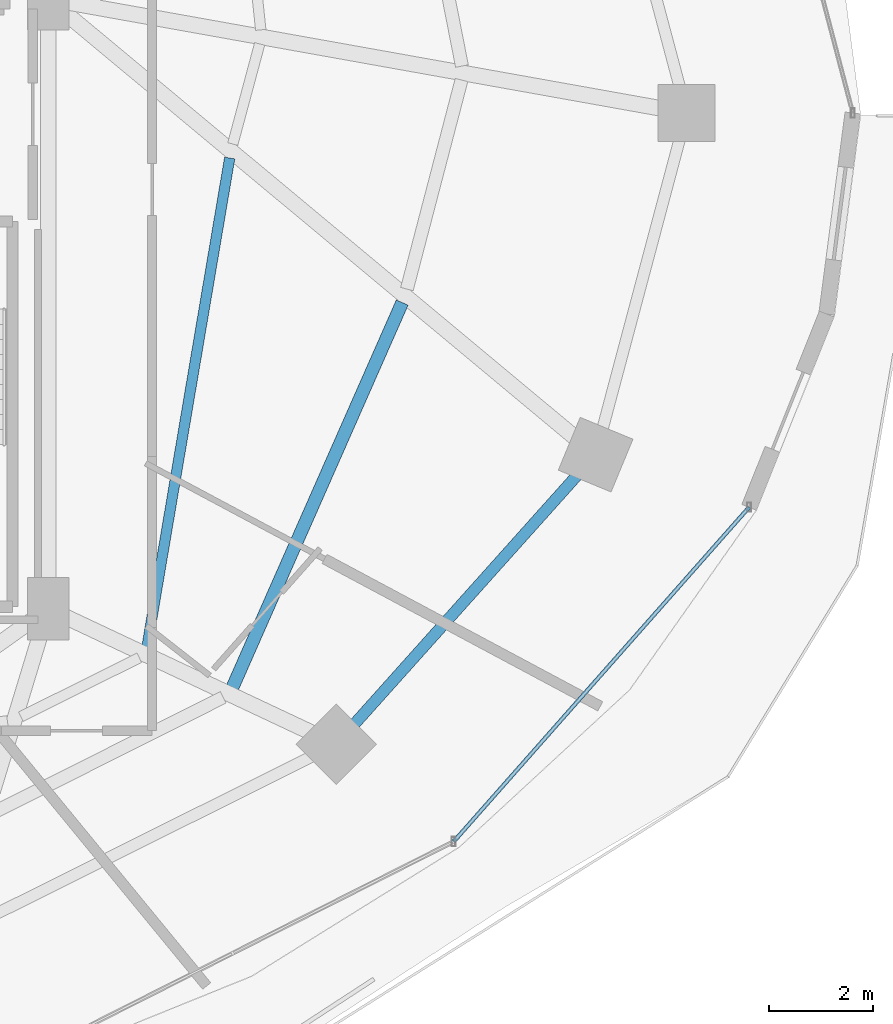
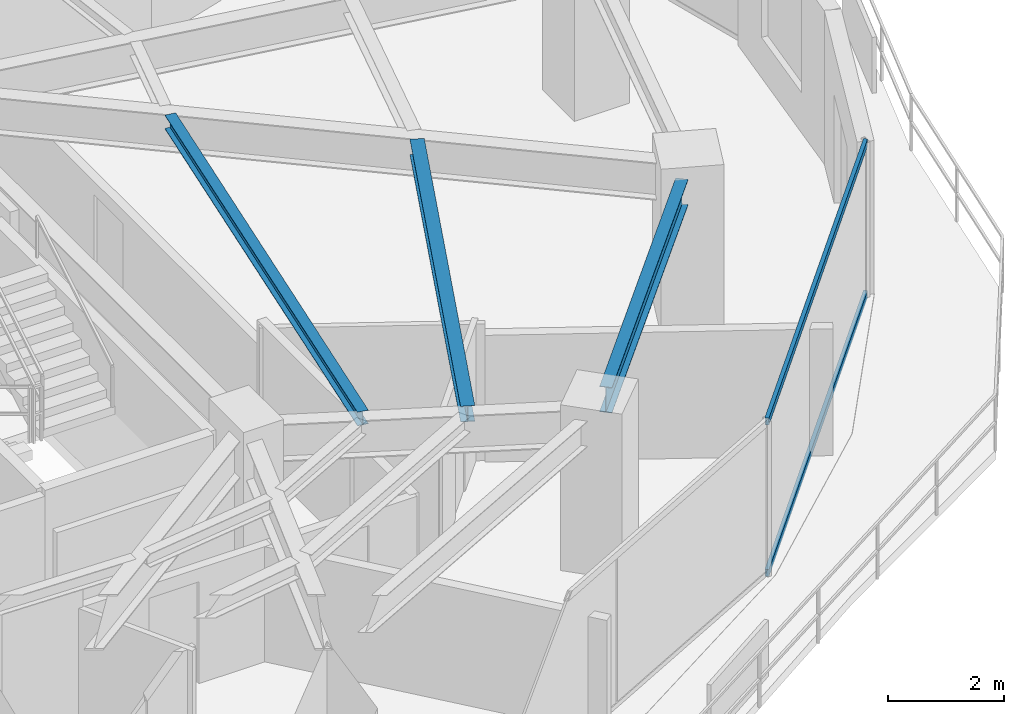
# One storey, part 12 of 29: 3 beams, 2 members, 1 element without a shape of its own.
"""IFC4 building model written with IfcOpenShell, lengths in metres."""

from ifc_helpers import new_model, si_unit, direction, frame, origin, origin_2d, place, context, subcontext, project, spatial, hollow_rectangle, i_section, extrude, material, material_profile, profile_set, type_object, element, aggregate, save


model = new_model("IFC4")

# Units and contexts
model_context = context("Model", 3, precision=1e-05, world=origin(), true_north=direction((0.0, 1.0)))
body_context = subcontext(model_context, "Body", "Model", "MODEL_VIEW")
ifc_project = project(units=[si_unit("LENGTHUNIT", "METRE"), si_unit("AREAUNIT", "SQUARE_METRE"), si_unit("VOLUMEUNIT", "CUBIC_METRE"), si_unit("PLANEANGLEUNIT", "RADIAN"), si_unit("MASSUNIT", "GRAM", prefix="KILO")], contexts=[model_context])

# Site, building, storey
site_placement = place(None, origin())
site = spatial("IfcSite", under=ifc_project, at=site_placement, CompositionType="ELEMENT")
building_placement = place(site_placement, origin())
building = spatial("IfcBuilding", under=site, at=building_placement, Name="Vorneva Point Tower", CompositionType="ELEMENT")
storey_placement = place(building_placement, frame((0.0, 0.0, 113.800048828125)))
storey = spatial("IfcBuildingStorey", under=building, at=storey_placement, Name="L30", CompositionType="ELEMENT", Elevation=113.800048828125)

# Beams
ifc_material_1 = material(Name="Steel S355", Category="steel")
ifc_material_profile_1 = material_profile(ifc_material_1, i_section(OverallWidth=0.199951171875, OverallDepth=0.291015625, WebThickness=0.008056640625, FlangeThickness=0.010986328125, at=origin_2d()), Name="30Sh1")
ifc_profile_set_1 = profile_set([ifc_material_profile_1], Name="Steel S355")
beam_type_1 = type_object("IfcBeamType", Name="BM-SEC-30Sh1", PredefinedType="BEAM", material=ifc_profile_set_1)
beam_1_placement = place(storey_placement, frame((50.649658203125, 15.70263671875, 3.094482421875), z_axis=(0.16685295919, 0.985981789897, 0.0), x_axis=(-0.985981789897, 0.16685295919, 0.0)))
element("IfcBeam", 1, at=beam_1_placement, inside=storey, type_object=beam_type_1, Name="L30 Secondary Floor Beam 2.15", PredefinedType="BEAM", context=body_context, shape_type="SweptSolid", body=[
    extrude(i_section(OverallWidth=0.199951171875, OverallDepth=0.291015625, WebThickness=0.008056640625, FlangeThickness=0.010986328125, at=origin_2d()), origin(), (0.0, 0.0, 1.0), 9.56494140625),
])
ifc_material_profile_2 = material_profile(ifc_material_1, i_section(OverallWidth=0.2490234375, OverallDepth=0.333984375, WebThickness=0.008056640625, FlangeThickness=0.010986328125, at=origin_2d()), Name="35Sh1")
ifc_profile_set_2 = profile_set([ifc_material_profile_2], Name="Steel S355")
beam_type_2 = type_object("IfcBeamType", Name="BM-SEC-35Sh1", PredefinedType="BEAM", material=ifc_profile_set_2)
beam_2_placement = place(storey_placement, frame((52.298583984375, 14.931884765625, 3.072998046875), z_axis=(0.403487441762, 0.91498518258, 0.0), x_axis=(-0.91498518258, 0.403487441762, 0.0)))
element("IfcBeam", 2, at=beam_2_placement, inside=storey, type_object=beam_type_2, Name="L30 Secondary Floor Beam 1.15", PredefinedType="BEAM", context=body_context, shape_type="SweptSolid", body=[
    extrude(i_section(OverallWidth=0.2490234375, OverallDepth=0.333984375, WebThickness=0.008056640625, FlangeThickness=0.010986328125, at=origin_2d()), origin(), (0.0, 0.0, 1.0), 8.105712890625),
])
ifc_material_profile_3 = material_profile(ifc_material_1, i_section(OverallWidth=0.219970703125, OverallDepth=0.54296875, WebThickness=0.009521484375, FlangeThickness=0.013427734375, at=origin_2d()), Name="55B1")
ifc_profile_set_3 = profile_set([ifc_material_profile_3], Name="Steel S355")
beam_type_3 = type_object("IfcBeamType", Name="BM-SPN-55B1", PredefinedType="SPANDREL", material=ifc_profile_set_3)
beam_3_placement = place(storey_placement, frame((54.65576171875, 14.236328125, 2.968505859375), z_axis=(0.667073815664, 0.744991627105, 0.0), x_axis=(-0.744991627105, 0.667073815664, 0.0)))
element("IfcBeam", 3, at=beam_3_placement, inside=storey, type_object=beam_type_3, Name="L30 Perimeter Spandrel Ring Beam 15", PredefinedType="SPANDREL", context=body_context, shape_type="SweptSolid", body=[
    extrude(i_section(OverallWidth=0.219970703125, OverallDepth=0.54296875, WebThickness=0.009521484375, FlangeThickness=0.013427734375, at=origin_2d()), origin(), (0.0, 0.0, 1.0), 6.420166015625),
])

# Curtain wall, members
ifc_material_2 = material(Name="Pale anodised aluminium", Category="aluminium")
curtain_wall_type = type_object("IfcCurtainWallType", Name="CW-HTL-SYS", PredefinedType="NOTDEFINED", material=ifc_material_2)
curtain_wall_placement = place(storey_placement, origin())
curtain_wall = element("IfcCurtainWall", 4, at=curtain_wall_placement, inside=storey, type_object=curtain_wall_type, Name="L30 Unitised Curtain Wall CW-L30-R04", PredefinedType="NOTDEFINED")
ifc_material_profile_4 = material_profile(ifc_material_2, hollow_rectangle(XDim=0.074951171875, YDim=0.14990234375, WallThickness=0.00390625, at=origin_2d()), Name="AL-TRN 150x75x4")
ifc_profile_set_4 = profile_set([ifc_material_profile_4], Name="Pale anodised aluminium")
member_type = type_object("IfcMemberType", Name="CW-TRN-150", PredefinedType="USERDEFINED", material=ifc_profile_set_4)
member_1_placement = place(storey_placement, frame((56.5615234375, 11.9638671875, 0.02001953125), z_axis=(0.662137326257, 0.74938251993, 0.0), x_axis=(-0.74938251993, 0.662137326257, 0.0)))
member_1 = element("IfcMember", 5, at=member_1_placement, type_object=member_type, Name="CW-L30-R04 Transom 05.1", ObjectType="TRANSOM", PredefinedType="USERDEFINED", context=body_context, shape_type="SweptSolid", body=[
    extrude(hollow_rectangle(XDim=0.074951171875, YDim=0.14990234375, WallThickness=0.00390625, at=origin_2d()), origin(), (0.0, 0.0, 1.0), 8.59375),
])
member_2_placement = place(storey_placement, frame((56.5615234375, 11.9638671875, 3.219970703125), z_axis=(0.662137326257, 0.74938251993, 0.0), x_axis=(-0.74938251993, 0.662137326257, 0.0)))
member_2 = element("IfcMember", 6, at=member_2_placement, type_object=member_type, Name="CW-L30-R04 Transom 05.2", ObjectType="TRANSOM", PredefinedType="USERDEFINED", context=body_context, shape_type="SweptSolid", body=[
    extrude(hollow_rectangle(XDim=0.074951171875, YDim=0.14990234375, WallThickness=0.00390625, at=origin_2d()), origin(), (0.0, 0.0, 1.0), 8.59375),
])
aggregate(curtain_wall, [member_1, member_2])

save(model, "model.ifc")
